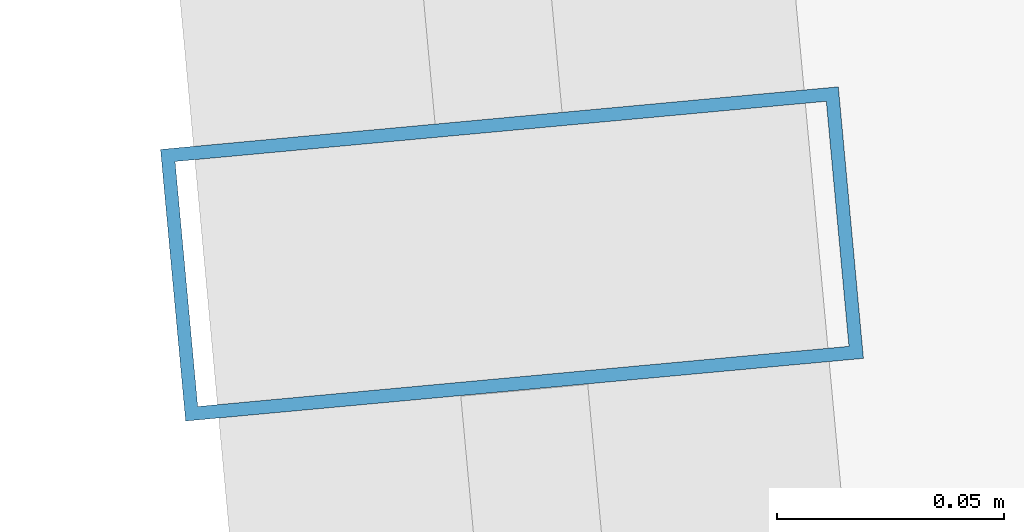
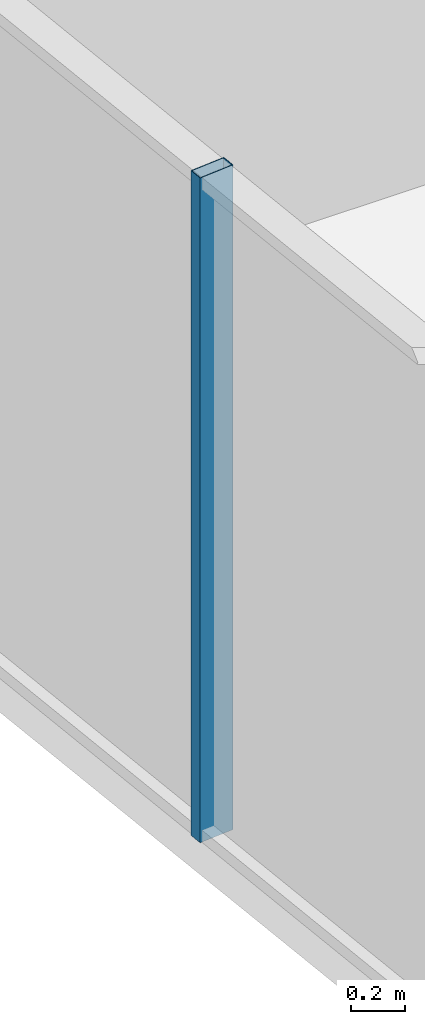
# One storey, part 10 of 32: 1 member, 1 element without a shape of its own.
"""IFC4 building model written with IfcOpenShell, lengths in metres."""

from ifc_helpers import new_model, si_unit, direction, frame, origin, origin_2d, place, context, subcontext, project, spatial, hollow_rectangle, extrude, source, transform, mapped, material, layer, layer_set, material_profile, profile_set, type_object, element, aggregate, save


model = new_model("IFC4")

# Units and contexts
model_context = context("Model", 3, precision=1e-05, world=origin(), true_north=direction((0.0, 1.0)))
body_context = subcontext(model_context, "Body", "Model", "MODEL_VIEW")
ifc_project = project(units=[si_unit("LENGTHUNIT", "METRE"), si_unit("AREAUNIT", "SQUARE_METRE"), si_unit("VOLUMEUNIT", "CUBIC_METRE"), si_unit("PLANEANGLEUNIT", "RADIAN"), si_unit("MASSUNIT", "GRAM", prefix="KILO")], contexts=[model_context])

# Site, building, storey
site_placement = place(None, origin())
site = spatial("IfcSite", under=ifc_project, at=site_placement, CompositionType="ELEMENT")
building_placement = place(site_placement, origin())
building = spatial("IfcBuilding", under=site, at=building_placement, Name="Veraguas Prism Commons", CompositionType="ELEMENT")
storey_placement = place(building_placement, frame((0.0, 0.0, 188.60009765625)))
storey = spatial("IfcBuildingStorey", under=building, at=storey_placement, Name="L53", CompositionType="ELEMENT", Elevation=188.60009765625)

# Curtain wall, member
ifc_material = material(Name="Anodised aluminium EN AW-6063 T6", Category="aluminium")
ifc_layer = layer(ifc_material, 0.14990234375, Name="Unitised Flush Curtain Wall Zone 3", Category="aluminium")
ifc_layer_set = layer_set([ifc_layer], Name="Anodised aluminium EN AW-6063 T6")
curtain_wall_type = type_object("IfcCurtainWallType", Name="Unitised Flush Curtain Wall Zone 3", PredefinedType="NOTDEFINED", material=ifc_layer_set)
curtain_wall_placement = place(storey_placement, origin())
curtain_wall = element("IfcCurtainWall", 1, at=curtain_wall_placement, inside=storey, type_object=curtain_wall_type, Name="Tower Facade Curtain Wall L53-F3", PredefinedType="NOTDEFINED")
ifc_material_profile = material_profile(ifc_material, hollow_rectangle(XDim=0.06005859375, YDim=0.14990234375, WallThickness=0.0029296875, at=origin_2d()), Name="AL60X150X3")
ifc_profile_set = profile_set([ifc_material_profile], Name="Anodised aluminium EN AW-6063 T6")
member_type = type_object("IfcMemberType", Name="Curtain Wall Mullion Upper AL 60x150x3", PredefinedType="MULLION", material=ifc_profile_set)
shared_shape = source(origin(), body_context, "Body", "SweptSolid", [
    extrude(hollow_rectangle(XDim=0.06005859375, YDim=0.14990234375, WallThickness=0.0029296875, at=origin_2d()), origin(), (0.0, 0.0, 1.0), 3.014892578125),
])
member_placement = place(storey_placement, frame((6.364990234375, 22.370361328125, 0.0), z_axis=(0.0, 0.0, 1.0), x_axis=(0.092023008338, -0.995756880939, 0.0)))
member = element("IfcMember", 2, at=member_placement, type_object=member_type, Name="CW-Z3 Mullion 3", PredefinedType="MULLION", context=body_context, shape_type="MappedRepresentation", body=[
    mapped(shared_shape, transform((0.0, 0.0, 0.0), scale=1.0)),
])
aggregate(curtain_wall, [member])

save(model, "model.ifc")
